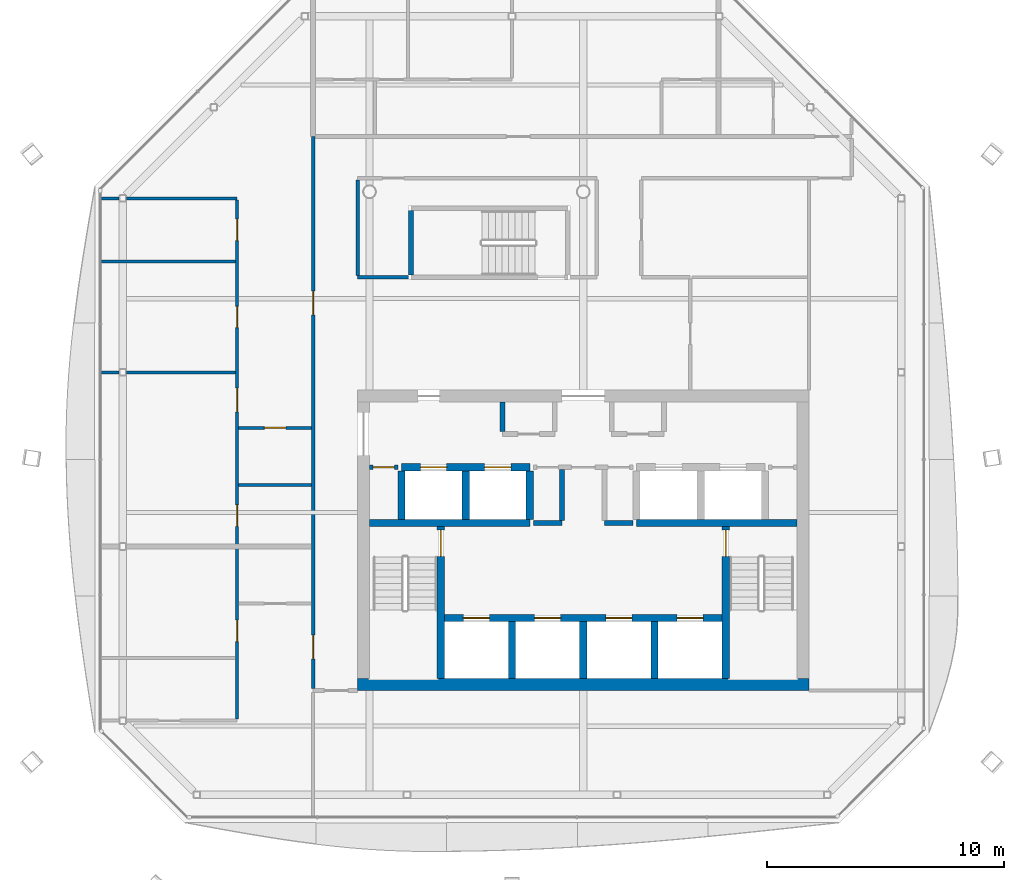
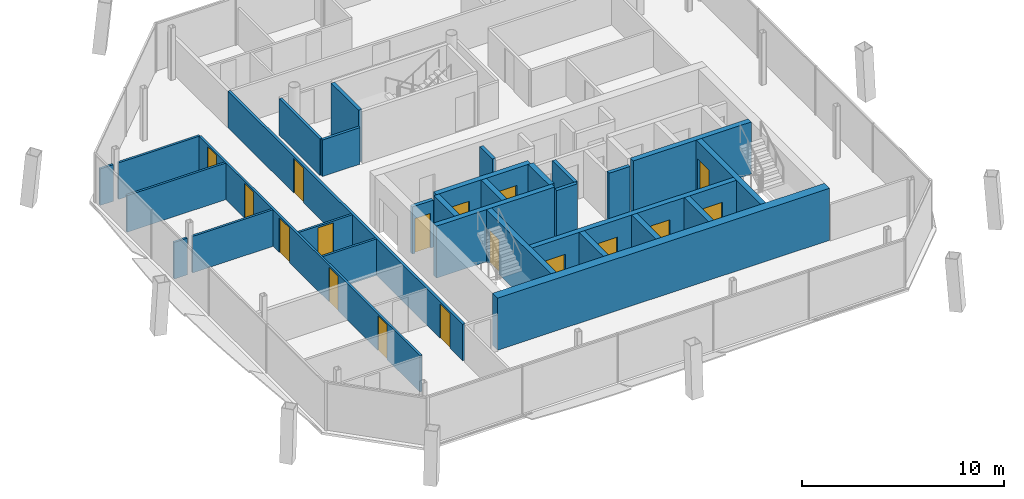
# One storey, part 10 of 16: 30 walls, 17 doors, 17 openings.
"""IFC4 building model written with IfcOpenShell, lengths in metres."""

import ifcopenshell
import ifcopenshell.guid

model = None  # the IFC model being written
_history = None  # IfcOwnerHistory: only IFC2X3 demands one
_inside = {}  # id of a spatial element -> (the spatial element, [elements in it])
_under = {}  # id of a project, library or spatial element -> (it, [spatial elements below it])
_declared = {}  # id of a project -> (the project, [libraries it declares])
_typed = {}  # id of a type object -> (the type object, [elements of that type])
_made_of = {}  # id of a material, layer set ... -> (it, [elements and type objects made of it])


def new_model(schema):
    """Start an empty IFC model of exactly this schema.

    Asked for "IFC4X3", IfcOpenShell would pick the latest addendum, in which some entities
    have other attributes; the version numbers below select the first issue.
    IFC2X3 requires an IfcOwnerHistory on every rooted entity: one is made here for all.
    """
    global model, _history
    if schema == "IFC4X3":
        model = ifcopenshell.file(schema_version=(4, 3, 0, 0))
    else:
        model = ifcopenshell.file(schema=schema)
    _inside.clear()
    _under.clear()
    _declared.clear()
    _typed.clear()
    _made_of.clear()
    _history = None
    if model.schema == "IFC2X3":
        org = make("IfcOrganization", Name="unknown")
        user = make(
            "IfcPersonAndOrganization",
            ThePerson=make("IfcPerson", FamilyName="unknown"),
            TheOrganization=org,
        )
        app = make(
            "IfcApplication",
            ApplicationDeveloper=org,
            Version="unknown",
            ApplicationFullName="unknown",
            ApplicationIdentifier="unknown",
        )
        _history = make(
            "IfcOwnerHistory",
            OwningUser=user,
            OwningApplication=app,
            ChangeAction="ADDED",
            CreationDate=0,
        )
    return model


def make(cls, **values):
    """One entity of the class cls with the attributes given. An attribute that is None is left unset."""
    return model.create_entity(
        cls, **{name: value for name, value in values.items() if value is not None}
    )


def rooted(cls, **values):
    """An entity with a GlobalId (a new one), such as an element, a storey or a relation."""
    return make(cls, GlobalId=ifcopenshell.guid.new(), OwnerHistory=_history, **values)


def si_unit(unit_type, name, prefix=None):
    """IfcSIUnit, for example si_unit("LENGTHUNIT", "METRE", prefix="MILLI")."""
    return make("IfcSIUnit", UnitType=unit_type, Prefix=prefix, Name=name)


def assignment(units):
    """IfcUnitAssignment: the units of a project."""
    return None if units is None else make("IfcUnitAssignment", Units=units)


def point(xyz):
    """IfcCartesianPoint."""
    return None if xyz is None else make("IfcCartesianPoint", Coordinates=xyz)


def direction(xyz):
    """IfcDirection."""
    return None if xyz is None else make("IfcDirection", DirectionRatios=xyz)


def frame(location, z_axis=None, x_axis=None):
    """IfcAxis2Placement3D, a coordinate frame: its origin and axes. An axis left out is left unset."""
    return make(
        "IfcAxis2Placement3D",
        Location=point(location),
        Axis=direction(z_axis),
        RefDirection=direction(x_axis),
    )


def frame_2d(location, x_axis=None):
    """IfcAxis2Placement2D, a coordinate frame in the plane: its origin and x axis."""
    return make(
        "IfcAxis2Placement2D", Location=point(location), RefDirection=direction(x_axis)
    )


def origin():
    """The frame at (0, 0, 0) with its axes left unset."""
    return frame((0.0, 0.0, 0.0))


def place(relative_to, where):
    """IfcLocalPlacement: puts the frame where relative to a parent placement (None: the world)."""
    return make(
        "IfcLocalPlacement", PlacementRelTo=relative_to, RelativePlacement=where
    )


def context(
    kind, dimensions, precision=None, world=None, true_north=None, identifier=None
):
    """IfcGeometricRepresentationContext, for example the 3D "Model" context."""
    return make(
        "IfcGeometricRepresentationContext",
        ContextIdentifier=identifier,
        ContextType=kind,
        CoordinateSpaceDimension=dimensions,
        Precision=precision,
        WorldCoordinateSystem=world,
        TrueNorth=true_north,
    )


def subcontext(parent, identifier, kind, view, scale=None):
    """IfcGeometricRepresentationSubContext, for example "Body" below "Model"."""
    return make(
        "IfcGeometricRepresentationSubContext",
        ContextIdentifier=identifier,
        ContextType=kind,
        ParentContext=parent,
        TargetScale=scale,
        TargetView=view,
    )


def project(units=None, contexts=None):
    """IfcProject with its units and contexts."""
    return rooted(
        "IfcProject",
        Name="project",
        RepresentationContexts=contexts,
        UnitsInContext=assignment(units),
    )


def spatial(cls, under=None, at=None, **own):
    """A site, building, storey or space (cls), placed at a placement, below another one or the project."""
    s = rooted(cls, ObjectPlacement=at, **own)
    if under is not None:
        _under.setdefault(under.id(), (under, []))[1].append(s)
    return s


def profile(cls, at=None, kind="AREA", **sizes):
    """A parametric profile (cls). Its sizes go by their IFC names, for example OverallWidth=200.0."""
    return make(cls, ProfileType=kind, Position=at, **sizes)


def rectangle(**sizes):
    """IfcRectangleProfileDef."""
    return profile("IfcRectangleProfileDef", **sizes)


def extrude(swept, where, along, depth):
    """IfcExtrudedAreaSolid: the profile swept, set in the frame where, extruded along a direction by depth."""
    return make(
        "IfcExtrudedAreaSolid",
        SweptArea=swept,
        Position=where,
        ExtrudedDirection=direction(along),
        Depth=depth,
    )


def shape(context_of_items, identifier, shape_type, items):
    """IfcShapeRepresentation: the items that make up one representation, for example the "Body"."""
    return make(
        "IfcShapeRepresentation",
        ContextOfItems=context_of_items,
        RepresentationIdentifier=identifier,
        RepresentationType=shape_type,
        Items=items,
    )


def material(Name=None, Category=None):
    """IfcMaterial."""
    return make("IfcMaterial", Name=Name, Category=Category)


def layer(
    of_material, thickness, ventilated=None, Name=None, Category=None, Priority=None
):
    """IfcMaterialLayer: one layer of a wall or slab, of a material (None: an air gap)."""
    return make(
        "IfcMaterialLayer",
        Material=of_material,
        LayerThickness=thickness,
        IsVentilated=ventilated,
        Name=Name,
        Category=Category,
        Priority=Priority,
    )


def layer_set(layers, Name=None):
    """IfcMaterialLayerSet."""
    return make("IfcMaterialLayerSet", MaterialLayers=layers, LayerSetName=Name)


def made_of(thing, what):
    """Note that an element or type object is made of a material, layer set ...; save() writes the relation."""
    if what is not None:
        _made_of.setdefault(what.id(), (what, []))[1].append(thing)
    return thing


def type_object(cls, material=None, **own):
    """A type object (cls), such as IfcWallType, which elements share."""
    return made_of(rooted(cls, **own), material)


def element(
    cls,
    number,
    at=None,
    inside=None,
    cuts=None,
    type_object=None,
    material=None,
    context=None,
    identifier="Body",
    shape_type=None,
    held_by="IfcProductDefinitionShape",
    body=None,
    shapes=None,
    **own,
):
    """One element of the class cls, such as IfcWall. Its Tag is "e" and its number.

    at: its placement. inside: the storey or other place that contains it. cuts: it is an
    opening in that element (IfcRelVoidsElement). A single representation is given by context,
    identifier, shape_type and body (its items); several are given by shapes. held_by: the class
    of the entity that holds the representations. save() writes the other relations.
    """
    e = rooted(cls, Tag="e%d" % number, ObjectPlacement=at, **own)
    if body is not None:
        shapes = [shape(context, identifier, shape_type, body)]
    if shapes is not None:
        e.Representation = make(held_by, Representations=shapes)
    if inside is not None:
        _inside.setdefault(inside.id(), (inside, []))[1].append(e)
    if cuts is not None:
        rooted(
            "IfcRelVoidsElement", RelatingBuildingElement=cuts, RelatedOpeningElement=e
        )
    if type_object is not None:
        _typed.setdefault(type_object.id(), (type_object, []))[1].append(e)
    return made_of(e, material)


def fill(opening, filler):
    """IfcRelFillsElement: the door or window that sits in an opening."""
    return rooted(
        "IfcRelFillsElement",
        RelatingOpeningElement=opening,
        RelatedBuildingElement=filler,
    )


def aggregate(whole, parts):
    """IfcRelAggregates: a whole, such as a stair, and the parts it consists of."""
    return rooted("IfcRelAggregates", RelatingObject=whole, RelatedObjects=parts)


def save(model, path):
    """Write the relations noted so far, then the file.

    IfcRelAggregates (storeys below a building ...), IfcRelContainedInSpatialStructure (elements
    in a storey), IfcRelDefinesByType, IfcRelAssociatesMaterial and IfcRelDeclares: one each for
    every whole, place, type object, material and project.
    """
    for whole, parts in _under.values():
        aggregate(whole, parts)
    for where, things in _inside.values():
        rooted(
            "IfcRelContainedInSpatialStructure",
            RelatedElements=things,
            RelatingStructure=where,
        )
    for kind, things in _typed.values():
        rooted("IfcRelDefinesByType", RelatedObjects=things, RelatingType=kind)
    for what, things in _made_of.values():
        rooted("IfcRelAssociatesMaterial", RelatedObjects=things, RelatingMaterial=what)
    for by, libraries in _declared.values():
        rooted("IfcRelDeclares", RelatingContext=by, RelatedDefinitions=libraries)
    model.write(path)


model = new_model("IFC4")

# Units and contexts
model_context = context("Model", 3, precision=1e-05, world=origin(), true_north=direction((0.0, 1.0)))
body_context = subcontext(model_context, "Body", "Model", "MODEL_VIEW")
ifc_project = project(units=[si_unit("LENGTHUNIT", "METRE"), si_unit("AREAUNIT", "SQUARE_METRE"), si_unit("VOLUMEUNIT", "CUBIC_METRE"), si_unit("PLANEANGLEUNIT", "RADIAN"), si_unit("MASSUNIT", "GRAM", prefix="KILO")], contexts=[model_context])

# Site, building, storey
site_placement = place(None, origin())
site = spatial("IfcSite", under=ifc_project, at=site_placement, CompositionType="ELEMENT")
building_placement = place(site_placement, origin())
building = spatial("IfcBuilding", under=site, at=building_placement, Name="Tskaro Facet Tower", CompositionType="ELEMENT")
storey_placement = place(building_placement, frame((0.0, 0.0, 248.699951171875)))
storey = spatial("IfcBuildingStorey", under=building, at=storey_placement, Name="L65", CompositionType="ELEMENT", Elevation=248.699951171875)

# Wall, openings, doors
ifc_material_1 = material(Name="Concrete C60/75", Category="concrete")
ifc_layer_1 = layer(ifc_material_1, 0.300048828125, Name="Concrete C60/75")
ifc_layer_set_1 = layer_set([ifc_layer_1], Name="Concrete C60/75")
wall_type_1 = type_object("IfcWallType", Name="CORE-SHAFT", PredefinedType="SHEAR", material=ifc_layer_set_1)
wall_1_placement = place(storey_placement, frame((-5.85009765625, -8.949951171875, 0.0), z_axis=(0.0, 0.0, 1.0), x_axis=(1.0, 0.0, 0.0)))
wall_1 = element("IfcWall", 1, at=wall_1_placement, inside=storey, type_object=wall_type_1, Name="Shaft wall W006", PredefinedType="SHEAR", context=body_context, shape_type="SweptSolid", body=[
    extrude(rectangle(XDim=11.7001953125, YDim=0.300048828125, at=frame_2d((5.85009765625, 0.0))), origin(), (0.0, 0.0, 1.0), 3.150146484375),
])
opening_1_placement = place(wall_1_placement, frame((0.800048828125, 0.0, 0.0)))
opening_1 = element("IfcOpeningElement", 2, at=opening_1_placement, cuts=wall_1, Name="Opening LD-FF1", PredefinedType="OPENING", context=body_context, shape_type="SweptSolid", body=[
    extrude(rectangle(XDim=1.10009765625, YDim=2.10009765625, at=frame_2d((0.550048828125, 1.050048828125))), frame((0.0, 0.159912109375, 0.0), z_axis=(0.0, -1.0, 0.0), x_axis=(1.0, 0.0, 0.0)), (0.0, 0.0, 1.0), 0.320068359375),
])
opening_2_placement = place(wall_1_placement, frame((3.800048828125, 0.0, 0.0)))
opening_2 = element("IfcOpeningElement", 3, at=opening_2_placement, cuts=wall_1, Name="Opening LD-FF2", PredefinedType="OPENING", context=body_context, shape_type="SweptSolid", body=[
    extrude(rectangle(XDim=1.10009765625, YDim=2.10009765625, at=frame_2d((0.550048828125, 1.050048828125))), frame((0.0, 0.159912109375, 0.0), z_axis=(0.0, -1.0, 0.0), x_axis=(1.0, 0.0, 0.0)), (0.0, 0.0, 1.0), 0.320068359375),
])
opening_3_placement = place(wall_1_placement, frame((6.800048828125, 0.0, 0.0)))
opening_3 = element("IfcOpeningElement", 4, at=opening_3_placement, cuts=wall_1, Name="Opening LD-SV1", PredefinedType="OPENING", context=body_context, shape_type="SweptSolid", body=[
    extrude(rectangle(XDim=1.10009765625, YDim=2.10009765625, at=frame_2d((0.550048828125, 1.050048828125))), frame((0.0, 0.159912109375, 0.0), z_axis=(0.0, -1.0, 0.0), x_axis=(1.0, 0.0, 0.0)), (0.0, 0.0, 1.0), 0.320068359375),
])
opening_4_placement = place(wall_1_placement, frame((9.800048828125, 0.0, 0.0)))
opening_4 = element("IfcOpeningElement", 5, at=opening_4_placement, cuts=wall_1, Name="Opening LD-SV2", PredefinedType="OPENING", context=body_context, shape_type="SweptSolid", body=[
    extrude(rectangle(XDim=1.10009765625, YDim=2.10009765625, at=frame_2d((0.550048828125, 1.050048828125))), frame((0.0, 0.159912109375, 0.0), z_axis=(0.0, -1.0, 0.0), x_axis=(1.0, 0.0, 0.0)), (0.0, 0.0, 1.0), 0.320068359375),
])
ifc_material_2 = material(Name="Stainless steel", Category="steel")
door_type_1 = type_object("IfcDoorType", Name="D-LANDING", OperationType="NOTDEFINED", PredefinedType="DOOR", material=ifc_material_2)
door_1_placement = place(opening_1_placement, origin())
door_1 = element("IfcDoor", 6, at=door_1_placement, inside=storey, type_object=door_type_1, Name="Landing door FF1", OperationType="DOUBLE_DOOR_SLIDING", OverallHeight=2.10009765625, OverallWidth=1.10009765625, PredefinedType="DOOR", context=body_context, shape_type="SweptSolid", body=[
    extrude(rectangle(XDim=1.10009765625, YDim=2.10009765625, at=frame_2d((0.550048828125, 1.050048828125))), frame((0.0, 0.02490234375, 0.0), z_axis=(0.0, -1.0, 0.0), x_axis=(1.0, 0.0, 0.0)), (0.0, 0.0, 1.0), 0.050048828125),
])
fill(opening_1, door_1)
door_2_placement = place(opening_2_placement, origin())
door_2 = element("IfcDoor", 7, at=door_2_placement, inside=storey, type_object=door_type_1, Name="Landing door FF2", OperationType="DOUBLE_DOOR_SLIDING", OverallHeight=2.10009765625, OverallWidth=1.10009765625, PredefinedType="DOOR", context=body_context, shape_type="SweptSolid", body=[
    extrude(rectangle(XDim=1.10009765625, YDim=2.10009765625, at=frame_2d((0.550048828125, 1.050048828125))), frame((0.0, 0.02490234375, 0.0), z_axis=(0.0, -1.0, 0.0), x_axis=(1.0, 0.0, 0.0)), (0.0, 0.0, 1.0), 0.050048828125),
])
fill(opening_2, door_2)
door_3_placement = place(opening_3_placement, origin())
door_3 = element("IfcDoor", 8, at=door_3_placement, inside=storey, type_object=door_type_1, Name="Landing door SV1", OperationType="DOUBLE_DOOR_SLIDING", OverallHeight=2.10009765625, OverallWidth=1.10009765625, PredefinedType="DOOR", context=body_context, shape_type="SweptSolid", body=[
    extrude(rectangle(XDim=1.10009765625, YDim=2.10009765625, at=frame_2d((0.550048828125, 1.050048828125))), frame((0.0, 0.02490234375, 0.0), z_axis=(0.0, -1.0, 0.0), x_axis=(1.0, 0.0, 0.0)), (0.0, 0.0, 1.0), 0.050048828125),
])
fill(opening_3, door_3)
door_4_placement = place(opening_4_placement, origin())
door_4 = element("IfcDoor", 9, at=door_4_placement, inside=storey, type_object=door_type_1, Name="Landing door SV2", OperationType="DOUBLE_DOOR_SLIDING", OverallHeight=2.10009765625, OverallWidth=1.10009765625, PredefinedType="DOOR", context=body_context, shape_type="SweptSolid", body=[
    extrude(rectangle(XDim=1.10009765625, YDim=2.10009765625, at=frame_2d((0.550048828125, 1.050048828125))), frame((0.0, 0.02490234375, 0.0), z_axis=(0.0, -1.0, 0.0), x_axis=(1.0, 0.0, 0.0)), (0.0, 0.0, 1.0), 0.050048828125),
])
fill(opening_4, door_4)

# Walls
for number, where, z_axis, x_axis, name in (
    (10, (-9.0, -4.949951171875, 0.0), (0.0, 0.0, 1.0), (1.0, 0.0, 0.0), "Shaft wall W010"),
    (11, (2.25, -4.949951171875, 0.0), (0.0, 0.0, 1.0), (1.0, 0.0, 0.0), "Shaft wall W013"),
):
    element("IfcWall", number, at=place(storey_placement, frame(where, z_axis=z_axis, x_axis=x_axis)), inside=storey, type_object=wall_type_1, Name=name, PredefinedType="SHEAR", context=body_context, shape_type="SweptSolid", body=[
        extrude(rectangle(XDim=6.75, YDim=0.300048828125, at=frame_2d((3.375, 0.0))), origin(), (0.0, 0.0, 1.0), 3.150146484375),
    ])

# Wall, openings, doors
wall_2_placement = place(storey_placement, frame((-7.64990234375, -2.60009765625, 0.0), z_axis=(0.0, 0.0, 1.0), x_axis=(1.0, 0.0, 0.0)))
wall_2 = element("IfcWall", 12, at=wall_2_placement, inside=storey, type_object=wall_type_1, Name="Shaft wall W016", PredefinedType="SHEAR", context=body_context, shape_type="SweptSolid", body=[
    extrude(rectangle(XDim=5.39990234375, YDim=0.300048828125, at=frame_2d((2.699951171875, 0.0))), origin(), (0.0, 0.0, 1.0), 3.150146484375),
])
opening_5_placement = place(wall_2_placement, frame((0.800048828125, 0.0, 0.0)))
opening_5 = element("IfcOpeningElement", 13, at=opening_5_placement, cuts=wall_2, Name="Opening LD-HB1", PredefinedType="OPENING", context=body_context, shape_type="SweptSolid", body=[
    extrude(rectangle(XDim=1.10009765625, YDim=2.10009765625, at=frame_2d((0.550048828125, 1.050048828125))), frame((0.0, 0.159912109375, 0.0), z_axis=(0.0, -1.0, 0.0), x_axis=(1.0, 0.0, 0.0)), (0.0, 0.0, 1.0), 0.320068359375),
])
opening_6_placement = place(wall_2_placement, frame((3.5, 0.0, 0.0)))
opening_6 = element("IfcOpeningElement", 14, at=opening_6_placement, cuts=wall_2, Name="Opening LD-HB2", PredefinedType="OPENING", context=body_context, shape_type="SweptSolid", body=[
    extrude(rectangle(XDim=1.10009765625, YDim=2.10009765625, at=frame_2d((0.550048828125, 1.050048828125))), frame((0.0, 0.159912109375, 0.0), z_axis=(0.0, -1.0, 0.0), x_axis=(1.0, 0.0, 0.0)), (0.0, 0.0, 1.0), 0.320068359375),
])
door_5_placement = place(opening_5_placement, origin())
door_5 = element("IfcDoor", 15, at=door_5_placement, inside=storey, type_object=door_type_1, Name="Landing door HB1", OperationType="DOUBLE_DOOR_SLIDING", OverallHeight=2.10009765625, OverallWidth=1.10009765625, PredefinedType="DOOR", context=body_context, shape_type="SweptSolid", body=[
    extrude(rectangle(XDim=1.10009765625, YDim=2.10009765625, at=frame_2d((0.550048828125, 1.050048828125))), frame((0.0, 0.02490234375, 0.0), z_axis=(0.0, -1.0, 0.0), x_axis=(1.0, 0.0, 0.0)), (0.0, 0.0, 1.0), 0.050048828125),
])
fill(opening_5, door_5)
door_6_placement = place(opening_6_placement, origin())
door_6 = element("IfcDoor", 16, at=door_6_placement, inside=storey, type_object=door_type_1, Name="Landing door HB2", OperationType="DOUBLE_DOOR_SLIDING", OverallHeight=2.10009765625, OverallWidth=1.10009765625, PredefinedType="DOOR", context=body_context, shape_type="SweptSolid", body=[
    extrude(rectangle(XDim=1.10009765625, YDim=2.10009765625, at=frame_2d((0.550048828125, 1.050048828125))), frame((0.0, 0.02490234375, 0.0), z_axis=(0.0, -1.0, 0.0), x_axis=(1.0, 0.0, 0.0)), (0.0, 0.0, 1.0), 0.050048828125),
])
fill(opening_6, door_6)

# Wall
wall_3_placement = place(storey_placement, frame((-7.64990234375, -4.800048828125, 0.0), z_axis=(0.0, 0.0, 1.0), x_axis=(0.0, 1.0, 0.0)))
element("IfcWall", 17, at=wall_3_placement, inside=storey, type_object=wall_type_1, Name="Shaft wall W045", PredefinedType="SHEAR", context=body_context, shape_type="SweptSolid", body=[
    extrude(rectangle(XDim=2.050048828125, YDim=0.300048828125, at=frame_2d((1.02490234375, 0.0))), origin(), (0.0, 0.0, 1.0), 3.150146484375),
])

# Wall, opening, door
wall_4_placement = place(storey_placement, frame((-6.0, -11.5, 0.0), z_axis=(0.0, 0.0, 1.0), x_axis=(0.0, 1.0, 0.0)))
wall_4 = element("IfcWall", 18, at=wall_4_placement, inside=storey, type_object=wall_type_1, Name="Shaft wall W048", PredefinedType="SHEAR", context=body_context, shape_type="SweptSolid", body=[
    extrude(rectangle(XDim=6.39990234375, YDim=0.300048828125, at=frame_2d((3.199951171875, 0.0))), origin(), (0.0, 0.0, 1.0), 3.150146484375),
])
opening_7_placement = place(wall_4_placement, frame((5.14990234375, 0.0, 0.0)))
opening_7 = element("IfcOpeningElement", 19, at=opening_7_placement, cuts=wall_4, Name="Opening ST-1-D1", PredefinedType="OPENING", context=body_context, shape_type="SweptSolid", body=[
    extrude(rectangle(XDim=1.10009765625, YDim=2.10009765625, at=frame_2d((0.550048828125, 1.050048828125))), frame((0.0, 0.159912109375, 0.0), z_axis=(0.0, -1.0, 0.0), x_axis=(1.0, 0.0, 0.0)), (0.0, 0.0, 1.0), 0.320068359375),
])
ifc_material_3 = material(Name="Steel", Category="steel")
door_type_2 = type_object("IfcDoorType", Name="D-STAIR", OperationType="NOTDEFINED", PredefinedType="DOOR", material=ifc_material_3)
door_7_placement = place(opening_7_placement, origin())
door_7 = element("IfcDoor", 20, at=door_7_placement, inside=storey, type_object=door_type_2, Name="Stair door 1", OperationType="SINGLE_SWING_LEFT", OverallHeight=2.10009765625, OverallWidth=1.10009765625, PredefinedType="DOOR", context=body_context, shape_type="SweptSolid", body=[
    extrude(rectangle(XDim=1.10009765625, YDim=2.10009765625, at=frame_2d((0.550048828125, 1.050048828125))), frame((0.0, 0.02490234375, 0.0), z_axis=(0.0, -1.0, 0.0), x_axis=(1.0, 0.0, 0.0)), (0.0, 0.0, 1.0), 0.050048828125),
])
fill(opening_7, door_7)

# Walls
wall_5_placement = place(storey_placement, frame((-4.949951171875, -4.800048828125, 0.0), z_axis=(0.0, 0.0, 1.0), x_axis=(0.0, 1.0, 0.0)))
element("IfcWall", 21, at=wall_5_placement, inside=storey, type_object=wall_type_1, Name="Shaft wall W049", PredefinedType="SHEAR", context=body_context, shape_type="SweptSolid", body=[
    extrude(rectangle(XDim=2.050048828125, YDim=0.300048828125, at=frame_2d((1.02490234375, 0.0))), origin(), (0.0, 0.0, 1.0), 3.150146484375),
])
wall_6_placement = place(storey_placement, frame((-3.0, -11.5, 0.0), z_axis=(0.0, 0.0, 1.0), x_axis=(0.0, 1.0, 0.0)))
element("IfcWall", 22, at=wall_6_placement, inside=storey, type_object=wall_type_1, Name="Shaft wall W051", PredefinedType="SHEAR", context=body_context, shape_type="SweptSolid", body=[
    extrude(rectangle(XDim=2.39990234375, YDim=0.300048828125, at=frame_2d((1.199951171875, 0.0))), origin(), (0.0, 0.0, 1.0), 3.150146484375),
])
wall_7_placement = place(storey_placement, frame((-2.25, -4.800048828125, 0.0), z_axis=(0.0, 0.0, 1.0), x_axis=(0.0, 1.0, 0.0)))
element("IfcWall", 23, at=wall_7_placement, inside=storey, type_object=wall_type_1, Name="Shaft wall W054", PredefinedType="SHEAR", context=body_context, shape_type="SweptSolid", body=[
    extrude(rectangle(XDim=2.050048828125, YDim=0.300048828125, at=frame_2d((1.02490234375, 0.0))), origin(), (0.0, 0.0, 1.0), 3.150146484375),
])
for number, where, z_axis, x_axis, name in (
    (24, (0.0, -11.5, 0.0), (0.0, 0.0, 1.0), (0.0, 1.0, 0.0), "Shaft wall W058"),
    (25, (3.0, -11.5, 0.0), (0.0, 0.0, 1.0), (0.0, 1.0, 0.0), "Shaft wall W064"),
):
    element("IfcWall", number, at=place(storey_placement, frame(where, z_axis=z_axis, x_axis=x_axis)), inside=storey, type_object=wall_type_1, Name=name, PredefinedType="SHEAR", context=body_context, shape_type="SweptSolid", body=[
        extrude(rectangle(XDim=2.39990234375, YDim=0.300048828125, at=frame_2d((1.199951171875, 0.0))), origin(), (0.0, 0.0, 1.0), 3.150146484375),
    ])

# Wall, opening, door
wall_8_placement = place(storey_placement, frame((6.0, -5.10009765625, 0.0), z_axis=(0.0, 0.0, 1.0), x_axis=(0.0, -1.0, 0.0)))
wall_8 = element("IfcWall", 26, at=wall_8_placement, inside=storey, type_object=wall_type_1, Name="Shaft wall W071", PredefinedType="SHEAR", context=body_context, shape_type="SweptSolid", body=[
    extrude(rectangle(XDim=6.39990234375, YDim=0.300048828125, at=frame_2d((3.199951171875, 0.0))), origin(), (0.0, 0.0, 1.0), 3.150146484375),
])
opening_8_placement = place(wall_8_placement, frame((0.14990234375, 0.0, 0.0)))
opening_8 = element("IfcOpeningElement", 27, at=opening_8_placement, cuts=wall_8, Name="Opening ST-2-D1", PredefinedType="OPENING", context=body_context, shape_type="SweptSolid", body=[
    extrude(rectangle(XDim=1.10009765625, YDim=2.10009765625, at=frame_2d((0.550048828125, 1.050048828125))), frame((0.0, 0.159912109375, 0.0), z_axis=(0.0, -1.0, 0.0), x_axis=(1.0, 0.0, 0.0)), (0.0, 0.0, 1.0), 0.320068359375),
])
door_8_placement = place(opening_8_placement, origin())
door_8 = element("IfcDoor", 28, at=door_8_placement, inside=storey, type_object=door_type_2, Name="Stair door 2", OperationType="SINGLE_SWING_RIGHT", OverallHeight=2.10009765625, OverallWidth=1.10009765625, PredefinedType="DOOR", context=body_context, shape_type="SweptSolid", body=[
    extrude(rectangle(XDim=1.10009765625, YDim=2.10009765625, at=frame_2d((0.550048828125, 1.050048828125))), frame((0.0, 0.02490234375, 0.0), z_axis=(0.0, -1.0, 0.0), x_axis=(1.0, 0.0, 0.0)), (0.0, 0.0, 1.0), 0.050048828125),
])
fill(opening_8, door_8)

# Walls
ifc_material_4 = material(Name="Concrete C20/25", Category="concrete")
ifc_layer_2 = layer(ifc_material_4, 0.199951171875, Name="Concrete C20/25")
ifc_layer_set_2 = layer_set([ifc_layer_2], Name="Concrete C20/25")
wall_type_2 = type_object("IfcWallType", Name="CORE-WALL", PredefinedType="SOLIDWALL", material=ifc_layer_set_2)
for number, where, z_axis, x_axis, name in (
    (29, (-2.10009765625, -4.949951171875, 0.0), (0.0, 0.0, 1.0), (1.0, 0.0, 0.0), "Core room wall W011"),
    (30, (0.89990234375, -4.949951171875, 0.0), (0.0, 0.0, 1.0), (1.0, 0.0, 0.0), "Core room wall W012"),
):
    element("IfcWall", number, at=place(storey_placement, frame(where, z_axis=z_axis, x_axis=x_axis)), inside=storey, type_object=wall_type_2, Name=name, PredefinedType="SOLIDWALL", context=body_context, shape_type="SweptSolid", body=[
        extrude(rectangle(XDim=1.2001953125, YDim=0.199951171875, at=frame_2d((0.60009765625, 0.0))), origin(), (0.0, 0.0, 1.0), 2.85009765625),
    ])

# Wall, opening, door
wall_9_placement = place(storey_placement, frame((-7.800048828125, -2.60009765625, 0.0), z_axis=(0.0, 0.0, 1.0), x_axis=(-1.0, 0.0, 0.0)))
wall_9 = element("IfcWall", 31, at=wall_9_placement, inside=storey, type_object=wall_type_2, Name="Core room wall W015", PredefinedType="SOLIDWALL", context=body_context, shape_type="SweptSolid", body=[
    extrude(rectangle(XDim=1.199951171875, YDim=0.199951171875, at=frame_2d((0.60009765625, 0.0))), origin(), (0.0, 0.0, 1.0), 2.85009765625),
])
opening_9_placement = place(wall_9_placement, frame((0.14990234375, 0.0, 0.0)))
opening_9 = element("IfcOpeningElement", 32, at=opening_9_placement, cuts=wall_9, Name="Opening T19-D07", PredefinedType="OPENING", context=body_context, shape_type="SweptSolid", body=[
    extrude(rectangle(XDim=0.89990234375, YDim=2.10009765625, at=frame_2d((0.449951171875, 1.050048828125))), frame((0.0, 0.10986328125, 0.0), z_axis=(0.0, -1.0, 0.0), x_axis=(1.0, 0.0, 0.0)), (0.0, 0.0, 1.0), 0.219970703125),
])
ifc_material_5 = material(Name="Timber", Category="wood")
door_type_3 = type_object("IfcDoorType", Name="D-ROOM", OperationType="NOTDEFINED", PredefinedType="DOOR", material=ifc_material_5)
door_9_placement = place(opening_9_placement, origin())
door_9 = element("IfcDoor", 33, at=door_9_placement, inside=storey, type_object=door_type_3, Name="Door T19-D07", OperationType="SINGLE_SWING_RIGHT", OverallHeight=2.10009765625, OverallWidth=0.89990234375, PredefinedType="DOOR", context=body_context, shape_type="SweptSolid", body=[
    extrude(rectangle(XDim=0.89990234375, YDim=2.10009765625, at=frame_2d((0.449951171875, 1.050048828125))), frame((0.0, 0.02490234375, 0.0), z_axis=(0.0, -1.0, 0.0), x_axis=(1.0, 0.0, 0.0)), (0.0, 0.0, 1.0), 0.050048828125),
])
fill(opening_9, door_9)

# Walls
wall_10_placement = place(storey_placement, frame((-3.39990234375, -1.10009765625, 0.0), z_axis=(0.0, 0.0, 1.0), x_axis=(0.0, 1.0, 0.0)))
element("IfcWall", 34, at=wall_10_placement, inside=storey, type_object=wall_type_2, Name="Core room wall W050", PredefinedType="SOLIDWALL", context=body_context, shape_type="SweptSolid", body=[
    extrude(rectangle(XDim=1.25, YDim=0.199951171875, at=frame_2d((0.625, 0.0))), origin(), (0.0, 0.0, 1.0), 2.85009765625),
])
wall_11_placement = place(storey_placement, frame((-0.89990234375, -4.85009765625, 0.0), z_axis=(0.0, 0.0, 1.0), x_axis=(0.0, 1.0, 0.0)))
element("IfcWall", 35, at=wall_11_placement, inside=storey, type_object=wall_type_2, Name="Core room wall W056", PredefinedType="SOLIDWALL", context=body_context, shape_type="SweptSolid", body=[
    extrude(rectangle(XDim=2.150146484375, YDim=0.199951171875, at=frame_2d((1.0751953125, 0.0))), origin(), (0.0, 0.0, 1.0), 2.85009765625),
])
ifc_material_6 = material(Name="Concrete C40/50", Category="concrete")
ifc_layer_3 = layer(ifc_material_6, 0.5, Name="Concrete C40/50")
ifc_layer_set_3 = layer_set([ifc_layer_3], Name="Concrete C40/50")
wall_type_3 = type_object("IfcWallType", Name="Core wall 500", PredefinedType="SHEAR", material=ifc_layer_set_3)
wall_12_placement = place(storey_placement, frame((-9.5, -11.75, 0.0), z_axis=(0.0, 0.0, 1.0), x_axis=(1.0, 0.0, 0.0)))
element("IfcWall", 36, at=wall_12_placement, inside=storey, type_object=wall_type_3, Name="Core wall CW-Z3S", PredefinedType="SHEAR", context=body_context, shape_type="SweptSolid", body=[
    extrude(rectangle(XDim=19.0, YDim=0.5, at=frame_2d((9.5, 0.0))), origin(), (0.0, 0.0, 1.0), 3.150146484375),
])
ifc_material_7 = material(Name="Gypsum board on steel studs", Category="steel")
ifc_layer_4 = layer(ifc_material_7, 0.125, Name="Gypsum board on steel studs")
ifc_layer_set_4 = layer_set([ifc_layer_4], Name="Gypsum board on steel studs")
wall_type_4 = type_object("IfcWallType", Name="PART", PredefinedType="PARTITIONING", material=ifc_layer_set_4)
wall_13_placement = place(storey_placement, frame((-14.512451171875, -3.340087890625, 0.0), z_axis=(0.0, 0.0, 1.0), x_axis=(1.0, 0.0, 0.0)))
element("IfcWall", 37, at=wall_13_placement, inside=storey, type_object=wall_type_4, Name="Partition W014", PredefinedType="PARTITIONING", context=body_context, shape_type="SweptSolid", body=[
    extrude(rectangle(XDim=3.0625, YDim=0.125, at=frame_2d((1.53125, 0.0))), origin(), (0.0, 0.0, 1.0), 2.2099609375),
])

# Wall, opening, door
wall_14_placement = place(storey_placement, frame((-11.449951171875, -0.93994140625, 0.0), z_axis=(0.0, 0.0, 1.0), x_axis=(-1.0, 0.0, 0.0)))
wall_14 = element("IfcWall", 38, at=wall_14_placement, inside=storey, type_object=wall_type_4, Name="Partition W022", PredefinedType="PARTITIONING", context=body_context, shape_type="SweptSolid", body=[
    extrude(rectangle(XDim=3.0625, YDim=0.125, at=frame_2d((1.53125, 0.0))), origin(), (0.0, 0.0, 1.0), 2.2099609375),
])
opening_10_placement = place(wall_14_placement, frame((1.074951171875, 0.0, 0.0)))
opening_10 = element("IfcOpeningElement", 39, at=opening_10_placement, cuts=wall_14, Name="Opening T19-D14", PredefinedType="OPENING", context=body_context, shape_type="SweptSolid", body=[
    extrude(rectangle(XDim=0.89990234375, YDim=2.10009765625, at=frame_2d((0.449951171875, 1.050048828125))), frame((0.0, 0.072509765625, 0.0), z_axis=(0.0, -1.0, 0.0), x_axis=(1.0, 0.0, 0.0)), (0.0, 0.0, 1.0), 0.14501953125),
])
door_10_placement = place(opening_10_placement, origin())
door_10 = element("IfcDoor", 40, at=door_10_placement, inside=storey, type_object=door_type_3, Name="Door T19-D14", OperationType="SINGLE_SWING_RIGHT", OverallHeight=2.10009765625, OverallWidth=0.89990234375, PredefinedType="DOOR", context=body_context, shape_type="SweptSolid", body=[
    extrude(rectangle(XDim=0.89990234375, YDim=2.10009765625, at=frame_2d((0.449951171875, 1.050048828125))), frame((0.0, 0.02490234375, 0.0), z_axis=(0.0, -1.0, 0.0), x_axis=(1.0, 0.0, 0.0)), (0.0, 0.0, 1.0), 0.050048828125),
])
fill(opening_10, door_10)

# Walls
wall_15_placement = place(storey_placement, frame((-20.2900390625, 1.39501953125, 0.0), z_axis=(0.0, 0.0, 1.0), x_axis=(1.0, 0.0, 0.0)))
element("IfcWall", 41, at=wall_15_placement, inside=storey, type_object=wall_type_4, Name="Partition W023", PredefinedType="PARTITIONING", context=body_context, shape_type="SweptSolid", body=[
    extrude(rectangle(XDim=0.7490234375, YDim=0.125, at=frame_2d((0.37451171875, 0.0))), origin(), (0.0, 0.0, 1.0), 2.2099609375),
])
wall_16_placement = place(storey_placement, frame((-19.240966796875, 1.39501953125, 0.0), z_axis=(0.0, 0.0, 1.0), x_axis=(1.0, 0.0, 0.0)))
element("IfcWall", 42, at=wall_16_placement, inside=storey, type_object=wall_type_4, Name="Partition W024", PredefinedType="PARTITIONING", context=body_context, shape_type="SweptSolid", body=[
    extrude(rectangle(XDim=4.603515625, YDim=0.125, at=frame_2d((2.3017578125, 0.0))), origin(), (0.0, 0.0, 1.0), 2.2099609375),
])
wall_17_placement = place(storey_placement, frame((-20.2900390625, 6.06005859375, 0.0), z_axis=(0.0, 0.0, 1.0), x_axis=(1.0, 0.0, 0.0)))
element("IfcWall", 43, at=wall_17_placement, inside=storey, type_object=wall_type_4, Name="Partition W030", PredefinedType="PARTITIONING", context=body_context, shape_type="SweptSolid", body=[
    extrude(rectangle(XDim=5.652587890625, YDim=0.125, at=frame_2d((2.826171875, 0.0))), origin(), (0.0, 0.0, 1.0), 2.2099609375),
])
wall_18_placement = place(storey_placement, frame((-20.2900390625, 8.72509765625, 0.0), z_axis=(0.0, 0.0, 1.0), x_axis=(1.0, 0.0, 0.0)))
element("IfcWall", 44, at=wall_18_placement, inside=storey, type_object=wall_type_4, Name="Partition W032", PredefinedType="PARTITIONING", context=body_context, shape_type="SweptSolid", body=[
    extrude(rectangle(XDim=0.7490234375, YDim=0.125, at=frame_2d((0.37451171875, 0.0))), origin(), (0.0, 0.0, 1.0), 2.2099609375),
])
wall_19_placement = place(storey_placement, frame((-19.240966796875, 8.72509765625, 0.0), z_axis=(0.0, 0.0, 1.0), x_axis=(1.0, 0.0, 0.0)))
element("IfcWall", 45, at=wall_19_placement, inside=storey, type_object=wall_type_4, Name="Partition W033", PredefinedType="PARTITIONING", context=body_context, shape_type="SweptSolid", body=[
    extrude(rectangle(XDim=4.666015625, YDim=0.125, at=frame_2d((2.3330078125, 0.0))), origin(), (0.0, 0.0, 1.0), 2.2099609375),
])

# Wall, openings, doors
wall_20_placement = place(storey_placement, frame((-14.574951171875, -13.20751953125, 0.0), z_axis=(0.0, 0.0, 1.0), x_axis=(0.0, 1.0, 0.0)))
wall_20 = element("IfcWall", 46, at=wall_20_placement, inside=storey, type_object=wall_type_4, Name="Partition W039", PredefinedType="PARTITIONING", context=body_context, shape_type="SweptSolid", body=[
    extrude(rectangle(XDim=21.8701171875, YDim=0.125, at=frame_2d((10.93505859375, 0.0))), origin(), (0.0, 0.0, 1.0), 2.2099609375),
])
opening_11_placement = place(wall_20_placement, frame((3.267578125, 0.0, 0.0)))
opening_11 = element("IfcOpeningElement", 47, at=opening_11_placement, cuts=wall_20, Name="Opening T19-D04", PredefinedType="OPENING", context=body_context, shape_type="SweptSolid", body=[
    extrude(rectangle(XDim=0.89990234375, YDim=2.10009765625, at=frame_2d((0.449951171875, 1.050048828125))), frame((0.0, 0.072509765625, 0.0), z_axis=(0.0, -1.0, 0.0), x_axis=(1.0, 0.0, 0.0)), (0.0, 0.0, 1.0), 0.14501953125),
])
opening_12_placement = place(wall_20_placement, frame((16.485107421875, 0.0, 0.0)))
opening_12 = element("IfcOpeningElement", 48, at=opening_12_placement, cuts=wall_20, Name="Opening T19-D19", PredefinedType="OPENING", context=body_context, shape_type="SweptSolid", body=[
    extrude(rectangle(XDim=0.89990234375, YDim=2.10009765625, at=frame_2d((0.449951171875, 1.050048828125))), frame((0.0, 0.072509765625, 0.0), z_axis=(0.0, -1.0, 0.0), x_axis=(1.0, 0.0, 0.0)), (0.0, 0.0, 1.0), 0.14501953125),
])
opening_13_placement = place(wall_20_placement, frame((12.93505859375, 0.0, 0.0)))
opening_13 = element("IfcOpeningElement", 49, at=opening_13_placement, cuts=wall_20, Name="Opening T19-D15", PredefinedType="OPENING", context=body_context, shape_type="SweptSolid", body=[
    extrude(rectangle(XDim=1.0, YDim=2.10009765625, at=frame_2d((0.5, 1.050048828125))), frame((0.0, 0.072509765625, 0.0), z_axis=(0.0, -1.0, 0.0), x_axis=(1.0, 0.0, 0.0)), (0.0, 0.0, 1.0), 0.14501953125),
])
opening_14_placement = place(wall_20_placement, frame((20.14990234375, 0.0, 0.0)))
opening_14 = element("IfcOpeningElement", 50, at=opening_14_placement, cuts=wall_20, Name="Opening T19-D21", PredefinedType="OPENING", context=body_context, shape_type="SweptSolid", body=[
    extrude(rectangle(XDim=0.89990234375, YDim=2.10009765625, at=frame_2d((0.449951171875, 1.050048828125))), frame((0.0, 0.072509765625, 0.0), z_axis=(0.0, -1.0, 0.0), x_axis=(1.0, 0.0, 0.0)), (0.0, 0.0, 1.0), 0.14501953125),
])
opening_15_placement = place(wall_20_placement, frame((8.117431640625, 0.0, 0.0)))
opening_15 = element("IfcOpeningElement", 51, at=opening_15_placement, cuts=wall_20, Name="Opening T19-D06", PredefinedType="OPENING", context=body_context, shape_type="SweptSolid", body=[
    extrude(rectangle(XDim=0.89990234375, YDim=2.10009765625, at=frame_2d((0.449951171875, 1.050048828125))), frame((0.0, 0.072509765625, 0.0), z_axis=(0.0, -1.0, 0.0), x_axis=(1.0, 0.0, 0.0)), (0.0, 0.0, 1.0), 0.14501953125),
])
door_11_placement = place(opening_11_placement, origin())
door_11 = element("IfcDoor", 52, at=door_11_placement, inside=storey, type_object=door_type_3, Name="Door T19-D04", OperationType="SINGLE_SWING_LEFT", OverallHeight=2.10009765625, OverallWidth=0.89990234375, PredefinedType="DOOR", context=body_context, shape_type="SweptSolid", body=[
    extrude(rectangle(XDim=0.89990234375, YDim=2.10009765625, at=frame_2d((0.449951171875, 1.050048828125))), frame((0.0, 0.02490234375, 0.0), z_axis=(0.0, -1.0, 0.0), x_axis=(1.0, 0.0, 0.0)), (0.0, 0.0, 1.0), 0.050048828125),
])
fill(opening_11, door_11)
door_12_placement = place(opening_12_placement, origin())
door_12 = element("IfcDoor", 53, at=door_12_placement, inside=storey, type_object=door_type_3, Name="Door T19-D19", OperationType="SINGLE_SWING_RIGHT", OverallHeight=2.10009765625, OverallWidth=0.89990234375, PredefinedType="DOOR", context=body_context, shape_type="SweptSolid", body=[
    extrude(rectangle(XDim=0.89990234375, YDim=2.10009765625, at=frame_2d((0.449951171875, 1.050048828125))), frame((0.0, 0.02490234375, 0.0), z_axis=(0.0, -1.0, 0.0), x_axis=(1.0, 0.0, 0.0)), (0.0, 0.0, 1.0), 0.050048828125),
])
fill(opening_12, door_12)
door_13_placement = place(opening_14_placement, origin())
door_13 = element("IfcDoor", 54, at=door_13_placement, inside=storey, type_object=door_type_3, Name="Door T19-D21", OperationType="SINGLE_SWING_RIGHT", OverallHeight=2.10009765625, OverallWidth=0.89990234375, PredefinedType="DOOR", context=body_context, shape_type="SweptSolid", body=[
    extrude(rectangle(XDim=0.89990234375, YDim=2.10009765625, at=frame_2d((0.449951171875, 1.050048828125))), frame((0.0, 0.02490234375, 0.0), z_axis=(0.0, -1.0, 0.0), x_axis=(1.0, 0.0, 0.0)), (0.0, 0.0, 1.0), 0.050048828125),
])
fill(opening_14, door_13)
door_14_placement = place(opening_15_placement, origin())
door_14 = element("IfcDoor", 55, at=door_14_placement, inside=storey, type_object=door_type_3, Name="Door T19-D06", OperationType="SINGLE_SWING_LEFT", OverallHeight=2.10009765625, OverallWidth=0.89990234375, PredefinedType="DOOR", context=body_context, shape_type="SweptSolid", body=[
    extrude(rectangle(XDim=0.89990234375, YDim=2.10009765625, at=frame_2d((0.449951171875, 1.050048828125))), frame((0.0, 0.02490234375, 0.0), z_axis=(0.0, -1.0, 0.0), x_axis=(1.0, 0.0, 0.0)), (0.0, 0.0, 1.0), 0.050048828125),
])
fill(opening_15, door_14)
door_type_4 = type_object("IfcDoorType", Name="D-ROOM-WIDE", OperationType="NOTDEFINED", PredefinedType="DOOR", material=ifc_material_5)
door_15_placement = place(opening_13_placement, origin())
door_15 = element("IfcDoor", 56, at=door_15_placement, inside=storey, type_object=door_type_4, Name="Door T19-D15", OperationType="SINGLE_SWING_LEFT", OverallHeight=2.10009765625, OverallWidth=1.0, PredefinedType="DOOR", context=body_context, shape_type="SweptSolid", body=[
    extrude(rectangle(XDim=1.0, YDim=2.10009765625, at=frame_2d((0.5, 1.050048828125))), frame((0.0, 0.02490234375, 0.0), z_axis=(0.0, -1.0, 0.0), x_axis=(1.0, 0.0, 0.0)), (0.0, 0.0, 1.0), 0.050048828125),
])
fill(opening_13, door_15)

# Wall
ifc_layer_5 = layer(ifc_material_7, 0.14990234375, Name="Gypsum board on steel studs")
ifc_layer_set_5 = layer_set([ifc_layer_5], Name="Gypsum board on steel studs")
wall_type_5 = type_object("IfcWallType", Name="PART-CORR", PredefinedType="PARTITIONING", material=ifc_layer_set_5)
wall_21_placement = place(storey_placement, frame((-9.5, 5.39990234375, 0.0), z_axis=(0.0, 0.0, 1.0), x_axis=(1.0, 0.0, 0.0)))
element("IfcWall", 57, at=wall_21_placement, inside=storey, type_object=wall_type_5, Name="Corridor wall W025", PredefinedType="PARTITIONING", context=body_context, shape_type="SweptSolid", body=[
    extrude(rectangle(XDim=2.14990234375, YDim=0.14990234375, at=frame_2d((1.074951171875, 0.0))), origin(), (0.0, 0.0, 1.0), 2.2099609375),
])

# Wall, openings, doors
wall_22_placement = place(storey_placement, frame((-11.375, -11.925048828125, 0.0), z_axis=(0.0, 0.0, 1.0), x_axis=(0.0, 1.0, 0.0)))
wall_22 = element("IfcWall", 58, at=wall_22_placement, inside=storey, type_object=wall_type_5, Name="Corridor wall W041", PredefinedType="PARTITIONING", context=body_context, shape_type="SweptSolid", body=[
    extrude(rectangle(XDim=23.25, YDim=0.14990234375, at=frame_2d((11.625, 0.0))), origin(), (0.0, 0.0, 1.0), 2.2099609375),
])
opening_16_placement = place(wall_22_placement, frame((1.2548828125, 0.0, 0.0)))
opening_16 = element("IfcOpeningElement", 59, at=opening_16_placement, cuts=wall_22, Name="Opening T19-D03", PredefinedType="OPENING", context=body_context, shape_type="SweptSolid", body=[
    extrude(rectangle(XDim=1.0, YDim=2.10009765625, at=frame_2d((0.5, 1.050048828125))), frame((0.0, 0.0849609375, 0.0), z_axis=(0.0, -1.0, 0.0), x_axis=(1.0, 0.0, 0.0)), (0.0, 0.0, 1.0), 0.169921875),
])
opening_17_placement = place(wall_22_placement, frame((15.742431640625, 0.0, 0.0)))
opening_17 = element("IfcOpeningElement", 60, at=opening_17_placement, cuts=wall_22, Name="Opening T19-D20", PredefinedType="OPENING", context=body_context, shape_type="SweptSolid", body=[
    extrude(rectangle(XDim=1.0, YDim=2.10009765625, at=frame_2d((0.5, 1.050048828125))), frame((0.0, 0.0849609375, 0.0), z_axis=(0.0, -1.0, 0.0), x_axis=(1.0, 0.0, 0.0)), (0.0, 0.0, 1.0), 0.169921875),
])
door_type_5 = type_object("IfcDoorType", Name="D-FLAT-ENTRY", OperationType="NOTDEFINED", PredefinedType="DOOR", material=ifc_material_5)
door_16_placement = place(opening_16_placement, origin())
door_16 = element("IfcDoor", 61, at=door_16_placement, inside=storey, type_object=door_type_5, Name="Door T19-D03", OperationType="SINGLE_SWING_LEFT", OverallHeight=2.10009765625, OverallWidth=1.0, PredefinedType="DOOR", context=body_context, shape_type="SweptSolid", body=[
    extrude(rectangle(XDim=1.0, YDim=2.10009765625, at=frame_2d((0.5, 1.050048828125))), frame((0.0, 0.02490234375, 0.0), z_axis=(0.0, -1.0, 0.0), x_axis=(1.0, 0.0, 0.0)), (0.0, 0.0, 1.0), 0.050048828125),
])
fill(opening_16, door_16)
door_17_placement = place(opening_17_placement, origin())
door_17 = element("IfcDoor", 62, at=door_17_placement, inside=storey, type_object=door_type_5, Name="Door T19-D20", OperationType="SINGLE_SWING_RIGHT", OverallHeight=2.10009765625, OverallWidth=1.0, PredefinedType="DOOR", context=body_context, shape_type="SweptSolid", body=[
    extrude(rectangle(XDim=1.0, YDim=2.10009765625, at=frame_2d((0.5, 1.050048828125))), frame((0.0, 0.02490234375, 0.0), z_axis=(0.0, -1.0, 0.0), x_axis=(1.0, 0.0, 0.0)), (0.0, 0.0, 1.0), 0.050048828125),
])
fill(opening_17, door_17)

# Walls
wall_23_placement = place(storey_placement, frame((-9.5, 5.47509765625, 0.0), z_axis=(0.0, 0.0, 1.0), x_axis=(0.0, 1.0, 0.0)))
element("IfcWall", 63, at=wall_23_placement, inside=storey, type_object=wall_type_5, Name="Corridor wall W043", PredefinedType="PARTITIONING", context=body_context, shape_type="SweptSolid", body=[
    extrude(rectangle(XDim=4.02490234375, YDim=0.14990234375, at=frame_2d((2.012451171875, 0.0))), origin(), (0.0, 0.0, 1.0), 2.2099609375),
])
ifc_layer_6 = layer(ifc_material_1, 0.199951171875, Name="Concrete C60/75")
ifc_layer_set_6 = layer_set([ifc_layer_6], Name="Concrete C60/75")
wall_type_6 = type_object("IfcWallType", Name="STAIR-WALL", PredefinedType="SHEAR", material=ifc_layer_set_6)
wall_24_placement = place(storey_placement, frame((-7.25, 5.5, 0.0), z_axis=(0.0, 0.0, 1.0), x_axis=(0.0, 1.0, 0.0)))
element("IfcWall", 64, at=wall_24_placement, inside=storey, type_object=wall_type_6, Name="Stair wall W047", PredefinedType="SHEAR", context=body_context, shape_type="SweptSolid", body=[
    extrude(rectangle(XDim=2.699951171875, YDim=0.199951171875, at=frame_2d((1.35009765625, 0.0))), origin(), (0.0, 0.0, 1.0), 3.150146484375),
])

save(model, "model.ifc")
